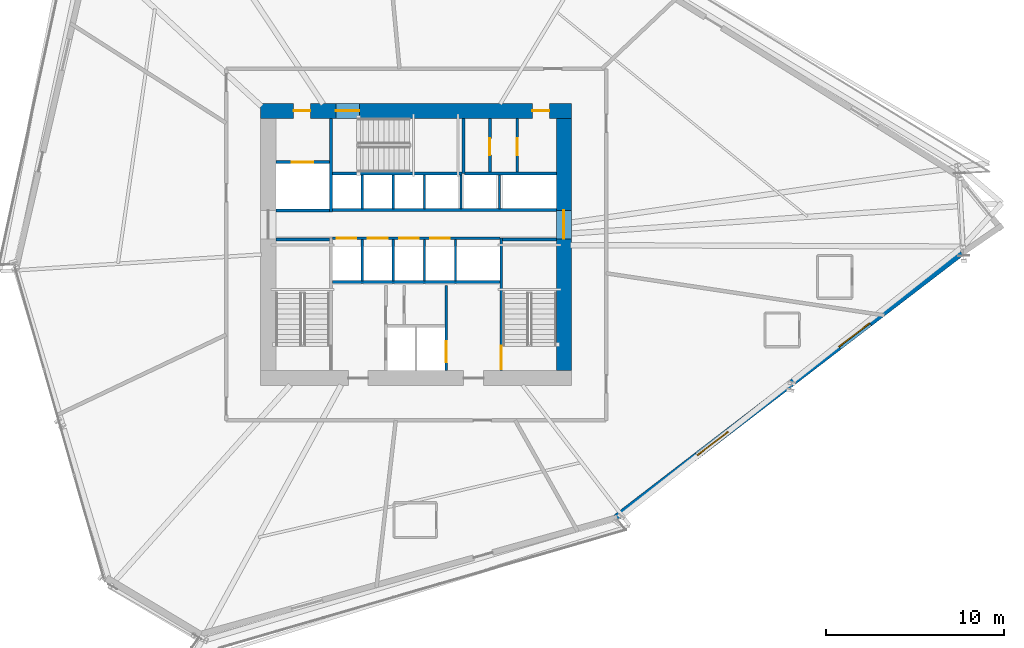
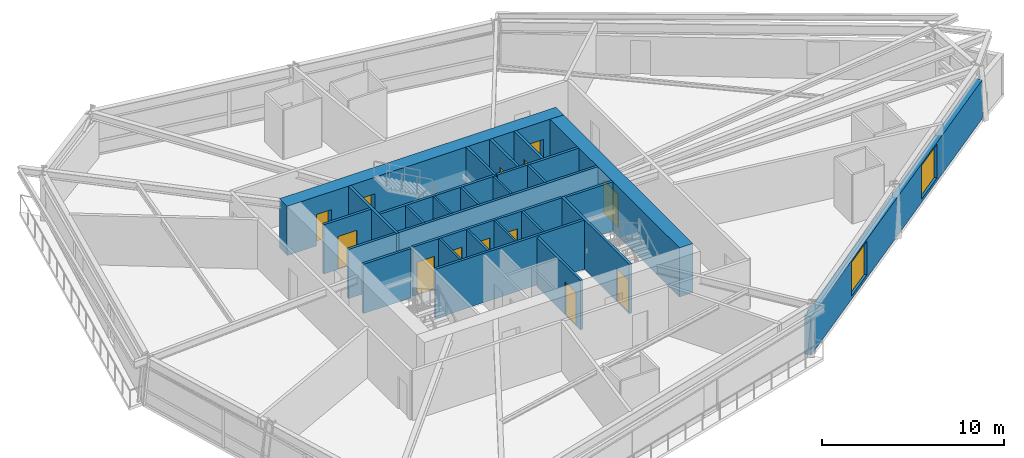
# One storey, part 16 of 21: 27 walls, 13 doors, 2 windows, 15 openings.
"""IFC4 building model written with IfcOpenShell, lengths in metres."""

from ifc_helpers import new_model, si_unit, direction, frame, frame_2d, origin, place, context, subcontext, project, spatial, rectangle, extrude, source, transform, mapped, material, layer, layer_set, type_object, type_shapes, element, fill, save


model = new_model("IFC4")

# Units and contexts
model_context = context("Model", 3, precision=1e-05, world=origin(), true_north=direction((0.0, 1.0)))
body_context = subcontext(model_context, "Body", "Model", "MODEL_VIEW")
ifc_project = project(units=[si_unit("LENGTHUNIT", "METRE"), si_unit("AREAUNIT", "SQUARE_METRE"), si_unit("VOLUMEUNIT", "CUBIC_METRE"), si_unit("PLANEANGLEUNIT", "RADIAN"), si_unit("MASSUNIT", "GRAM", prefix="KILO")], contexts=[model_context])

# Site, building, storey
site_placement = place(None, origin())
site = spatial("IfcSite", under=ifc_project, at=site_placement, CompositionType="ELEMENT")
building_placement = place(site_placement, origin())
building = spatial("IfcBuilding", under=site, at=building_placement, Name="Olszyna Solenne Hotel", CompositionType="ELEMENT")
storey_placement = place(building_placement, frame((0.0, 0.0, 47.050048828125)))
storey = spatial("IfcBuildingStorey", under=building, at=storey_placement, Name="L11", CompositionType="ELEMENT", Elevation=47.050048828125)

# Wall, openings, doors
ifc_material_1 = material(Name="Concrete C60/75", Category="concrete")
ifc_layer_1 = layer(ifc_material_1, 0.85009765625, Name="Concrete C60/75")
ifc_layer_set_1 = layer_set([ifc_layer_1], Name="Concrete C60/75")
wall_type_1 = type_object("IfcWallType", Name="WL-CR850", PredefinedType="SHEAR", material=ifc_layer_set_1)
wall_1_placement = place(storey_placement, frame((29.25, 34.125, 0.0), z_axis=(0.0, 0.0, 1.0), x_axis=(1.0, 0.0, 0.0)))
wall_1 = element("IfcWall", 1, at=wall_1_placement, inside=storey, type_object=wall_type_1, Name="Core shear wall WL-CR850 CRW-L11-N", PredefinedType="SHEAR", context=body_context, shape_type="SweptSolid", body=[
    extrude(rectangle(XDim=17.5, YDim=0.85009765625, at=frame_2d((8.75, 0.0))), origin(), (0.0, 0.0, 1.0), 3.300048828125),
])
opening_1_placement = place(wall_1_placement, frame((1.85009765625, 0.0, 0.0)))
opening_1 = element("IfcOpeningElement", 2, at=opening_1_placement, cuts=wall_1, Name="Opening SVD-L11-01", PredefinedType="OPENING", context=body_context, shape_type="SweptSolid", body=[
    extrude(rectangle(XDim=0.949951171875, YDim=2.10009765625, at=frame_2d((0.47509765625, 1.050048828125))), frame((0.0, 0.43505859375, 0.0), z_axis=(0.0, -1.0, 0.0), x_axis=(1.0, 0.0, 0.0)), (0.0, 0.0, 1.0), 0.8701171875),
])
opening_2_placement = place(wall_1_placement, frame((4.22998046875, 0.0, 0.0)))
opening_2 = element("IfcOpeningElement", 3, at=opening_2_placement, cuts=wall_1, Name="Opening STD-L11-03", PredefinedType="OPENING", context=body_context, shape_type="SweptSolid", body=[
    extrude(rectangle(XDim=1.320068359375, YDim=2.199951171875, at=frame_2d((0.66015625, 1.10009765625))), frame((0.0, 0.43505859375, 0.0), z_axis=(0.0, -1.0, 0.0), x_axis=(1.0, 0.0, 0.0)), (0.0, 0.0, 1.0), 0.8701171875),
])
opening_3_placement = place(wall_1_placement, frame((15.300048828125, 0.0, 0.0)))
opening_3 = element("IfcOpeningElement", 4, at=opening_3_placement, cuts=wall_1, Name="Opening SVD-L11-BN", PredefinedType="OPENING", context=body_context, shape_type="SweptSolid", body=[
    extrude(rectangle(XDim=0.949951171875, YDim=2.10009765625, at=frame_2d((0.47509765625, 1.050048828125))), frame((0.0, 0.43505859375, 0.0), z_axis=(0.0, -1.0, 0.0), x_axis=(1.0, 0.0, 0.0)), (0.0, 0.0, 1.0), 0.8701171875),
])
ifc_material_2 = material(Name="Steel S355J2", Category="steel")
door_type_1 = type_object("IfcDoorType", Name="DR-ST1", OperationType="NOTDEFINED", PredefinedType="DOOR", material=ifc_material_2)
shared_shape_1 = source(origin(), body_context, "Body", "SweptSolid", [
    extrude(rectangle(XDim=1.320068359375, YDim=2.199951171875, at=frame_2d((0.66015625, 1.10009765625))), frame((0.0, 0.02490234375, 0.0), z_axis=(0.0, -1.0, 0.0), x_axis=(1.0, 0.0, 0.0)), (0.0, 0.0, 1.0), 0.050048828125),
])
type_shapes(door_type_1, [shared_shape_1])
door_1_placement = place(opening_2_placement, origin())
door_1 = element("IfcDoor", 5, at=door_1_placement, inside=storey, type_object=door_type_1, Name="Pressurised exit stair ST3 fire door STD-L11-03", OperationType="SINGLE_SWING_RIGHT", OverallHeight=2.199951171875, OverallWidth=1.320068359375, PredefinedType="DOOR", context=body_context, shape_type="MappedRepresentation", body=[
    mapped(shared_shape_1, transform((0.0, 0.0, 0.0), x_axis=(1.0, 0.0, 0.0), y_axis=(0.0, 1.0, 0.0), z_axis=(0.0, 0.0, 1.0), scale=1.0)),
])
fill(opening_2, door_1)
door_type_2 = type_object("IfcDoorType", Name="DR-SV1", OperationType="NOTDEFINED", PredefinedType="DOOR", material=ifc_material_2)
shared_shape_2 = source(origin(), body_context, "Body", "SweptSolid", [
    extrude(rectangle(XDim=0.949951171875, YDim=2.10009765625, at=frame_2d((0.47509765625, 1.050048828125))), frame((0.0, 0.02490234375, 0.0), z_axis=(0.0, -1.0, 0.0), x_axis=(1.0, 0.0, 0.0)), (0.0, 0.0, 1.0), 0.050048828125),
])
type_shapes(door_type_2, [shared_shape_2])
door_2_placement = place(opening_1_placement, origin())
door_2 = element("IfcDoor", 6, at=door_2_placement, inside=storey, type_object=door_type_2, Name="Service lift lobby fire door SVD-L11-01", OperationType="SINGLE_SWING_LEFT", OverallHeight=2.10009765625, OverallWidth=0.949951171875, PredefinedType="DOOR", context=body_context, shape_type="MappedRepresentation", body=[
    mapped(shared_shape_2, transform((0.0, 0.0, 0.0), x_axis=(1.0, 0.0, 0.0), y_axis=(0.0, 1.0, 0.0), z_axis=(0.0, 0.0, 1.0), scale=1.0)),
])
fill(opening_1, door_2)
door_3_placement = place(opening_3_placement, origin())
door_3 = element("IfcDoor", 7, at=door_3_placement, inside=storey, type_object=door_type_2, Name="Housekeeping core fire door SVD-L11-BN", OperationType="SINGLE_SWING_LEFT", OverallHeight=2.10009765625, OverallWidth=0.949951171875, PredefinedType="DOOR", context=body_context, shape_type="MappedRepresentation", body=[
    mapped(shared_shape_2, transform((0.0, 0.0, 0.0), x_axis=(1.0, 0.0, 0.0), y_axis=(0.0, 1.0, 0.0), z_axis=(0.0, 0.0, 1.0), scale=1.0)),
])
fill(opening_3, door_3)

# Wall, opening, door
wall_2_placement = place(storey_placement, frame((46.324951171875, 33.699951171875, 0.0), z_axis=(0.0, 0.0, 1.0), x_axis=(0.0, -1.0, 0.0)))
wall_2 = element("IfcWall", 8, at=wall_2_placement, inside=storey, type_object=wall_type_1, Name="Core shear wall WL-CR850 CRW-L11-E", PredefinedType="SHEAR", context=body_context, shape_type="SweptSolid", body=[
    extrude(rectangle(XDim=14.199951171875, YDim=0.85009765625, at=frame_2d((7.10009765625, 0.0))), origin(), (0.0, 0.0, 1.0), 3.300048828125),
])
opening_4_placement = place(wall_2_placement, frame((5.179931640625, 0.0, 0.0)))
opening_4 = element("IfcOpeningElement", 9, at=opening_4_placement, cuts=wall_2, Name="Opening LHD-L11-E", PredefinedType="OPENING", context=body_context, shape_type="SweptSolid", body=[
    extrude(rectangle(XDim=1.60009765625, YDim=2.199951171875, at=frame_2d((0.800048828125, 1.10009765625))), frame((0.0, 0.43505859375, 0.0), z_axis=(0.0, -1.0, 0.0), x_axis=(1.0, 0.0, 0.0)), (0.0, 0.0, 1.0), 0.8701171875),
])
ifc_material_3 = material(Name="Timber hardwood", Category="wood")
door_type_3 = type_object("IfcDoorType", Name="DR-CR1", OperationType="DOUBLE_DOOR_SINGLE_SWING", PredefinedType="DOOR", material=ifc_material_3)
shared_shape_3 = source(origin(), body_context, "Body", "SweptSolid", [
    extrude(rectangle(XDim=1.60009765625, YDim=2.199951171875, at=frame_2d((0.800048828125, 1.10009765625))), frame((0.0, 0.02490234375, 0.0), z_axis=(0.0, -1.0, 0.0), x_axis=(1.0, 0.0, 0.0)), (0.0, 0.0, 1.0), 0.050048828125),
])
type_shapes(door_type_3, [shared_shape_3])
door_4_placement = place(opening_4_placement, origin())
door_4 = element("IfcDoor", 10, at=door_4_placement, inside=storey, type_object=door_type_3, Name="Passenger lift lobby East fire door LHD-L11-E", OperationType="DOUBLE_DOOR_SINGLE_SWING", OverallHeight=2.199951171875, OverallWidth=1.60009765625, PredefinedType="DOOR", context=body_context, shape_type="MappedRepresentation", body=[
    mapped(shared_shape_3, transform((0.0, 0.0, 0.0), x_axis=(1.0, 0.0, 0.0), y_axis=(0.0, 1.0, 0.0), z_axis=(0.0, 0.0, 1.0), scale=1.0)),
])
fill(opening_4, door_4)

# Wall, openings, windows
ifc_material_4 = material(Name="Terracotta cladding on precast concrete C45/55", Category="masonry")
ifc_layer_2 = layer(ifc_material_4, 0.3798828125, Name="Terracotta cladding on precast concrete C45/55")
ifc_layer_set_2 = layer_set([ifc_layer_2], Name="Terracotta cladding on precast concrete C45/55")
wall_type_2 = type_object("IfcWallType", Name="WL-EX380", PredefinedType="SOLIDWALL", material=ifc_layer_set_2)
wall_3_placement = place(storey_placement, frame((68.720458984375, 26.13818359375, 0.0), z_axis=(0.0, 0.0, 1.0), x_axis=(-0.793606361292, -0.608431543657, 0.0)))
wall_3 = element("IfcWall", 11, at=wall_3_placement, inside=storey, type_object=wall_type_2, Name="Exterior terracotta-precast frame wall WL-EX380 EW-L11-10", PredefinedType="SOLIDWALL", context=body_context, shape_type="SweptSolid", body=[
    extrude(rectangle(XDim=24.521484375, YDim=0.3798828125, at=frame_2d((12.2607421875, 0.0))), origin(), (0.0, 0.0, 1.0), 2.592041015625),
])
opening_5_placement = place(wall_3_placement, frame((6.51611328125, 0.0, 0.221923828125)))
opening_5 = element("IfcOpeningElement", 12, at=opening_5_placement, cuts=wall_3, Name="Opening WN-L11-050", PredefinedType="OPENING", context=body_context, shape_type="SweptSolid", body=[
    extrude(rectangle(XDim=2.199951171875, YDim=2.25, at=frame_2d((1.10009765625, 1.125))), frame((0.0, 0.199951171875, 0.0), z_axis=(0.0, -1.0, 0.0), x_axis=(1.0, 0.0, 0.0)), (0.0, 0.0, 1.0), 0.39990234375),
])
opening_6_placement = place(wall_3_placement, frame((16.554931640625, 0.0, 0.221923828125)))
opening_6 = element("IfcOpeningElement", 13, at=opening_6_placement, cuts=wall_3, Name="Opening WN-L11-051", PredefinedType="OPENING", context=body_context, shape_type="SweptSolid", body=[
    extrude(rectangle(XDim=2.199951171875, YDim=2.25, at=frame_2d((1.10009765625, 1.125))), frame((0.0, 0.199951171875, 0.0), z_axis=(0.0, -1.0, 0.0), x_axis=(1.0, 0.0, 0.0)), (0.0, 0.0, 1.0), 0.39990234375),
])
ifc_material_5 = material(Name="Low-E triple glazing", Category="glass")
window_type = type_object("IfcWindowType", Name="WN-HT2", PartitioningType="SINGLE_PANEL", PredefinedType="WINDOW", material=ifc_material_5)
shared_shape_4 = source(origin(), body_context, "Body", "SweptSolid", [
    extrude(rectangle(XDim=2.199951171875, YDim=2.25, at=frame_2d((1.10009765625, 1.125))), frame((0.0, 0.030029296875, 0.0), z_axis=(0.0, -1.0, 0.0), x_axis=(1.0, 0.0, 0.0)), (0.0, 0.0, 1.0), 0.06005859375),
])
type_shapes(window_type, [shared_shape_4])
window_1_placement = place(opening_5_placement, origin())
window_1 = element("IfcWindow", 14, at=window_1_placement, inside=storey, type_object=window_type, Name="Exterior facade window WN-HT2 WN-L11-050", OverallHeight=2.25, OverallWidth=2.199951171875, PartitioningType="SINGLE_PANEL", PredefinedType="WINDOW", context=body_context, shape_type="MappedRepresentation", body=[
    mapped(shared_shape_4, transform((0.0, 0.0, 0.0), x_axis=(1.0, 0.0, 0.0), y_axis=(0.0, 1.0, 0.0), z_axis=(0.0, 0.0, 1.0), scale=1.0)),
])
fill(opening_5, window_1)
window_2_placement = place(opening_6_placement, origin())
window_2 = element("IfcWindow", 15, at=window_2_placement, inside=storey, type_object=window_type, Name="Exterior facade window WN-HT2 WN-L11-051", OverallHeight=2.25, OverallWidth=2.199951171875, PartitioningType="SINGLE_PANEL", PredefinedType="WINDOW", context=body_context, shape_type="MappedRepresentation", body=[
    mapped(shared_shape_4, transform((0.0, 0.0, 0.0), x_axis=(1.0, 0.0, 0.0), y_axis=(0.0, 1.0, 0.0), z_axis=(0.0, 0.0, 1.0), scale=1.0)),
])
fill(opening_6, window_2)

# Walls
ifc_material_6 = material(Name="Acoustic gypsum partition", Category="gypsum")
ifc_layer_3 = layer(ifc_material_6, 0.125, Name="Acoustic gypsum partition")
ifc_layer_set_3 = layer_set([ifc_layer_3], Name="Acoustic gypsum partition")
wall_type_3 = type_object("IfcWallType", Name="WL-PT125", PredefinedType="PARTITIONING", material=ifc_layer_set_3)
for number, where, z_axis, x_axis, name in (
    (16, (34.965087890625, 24.56005859375, 0.0), (0.0, 0.0, 1.0), (0.0, 1.0, 0.0), "Core shaft compartment wall CW-L11-DIVS349"),
    (17, (36.715087890625, 24.56005859375, 0.0), (0.0, 0.0, 1.0), (0.0, 1.0, 0.0), "Core shaft compartment wall CW-L11-DIVS367"),
    (18, (38.465087890625, 24.56005859375, 0.0), (0.0, 0.0, 1.0), (0.0, 1.0, 0.0), "Core shaft compartment wall CW-L11-DIVS384"),
    (19, (40.215087890625, 24.56005859375, 0.0), (0.0, 0.0, 1.0), (0.0, 1.0, 0.0), "Core shaft compartment wall CW-L11-DIVS402"),
):
    element("IfcWall", number, at=place(storey_placement, frame(where, z_axis=z_axis, x_axis=x_axis)), inside=storey, type_object=wall_type_3, Name=name, PredefinedType="PARTITIONING", context=body_context, shape_type="SweptSolid", body=[
        extrude(rectangle(XDim=2.31005859375, YDim=0.125, at=frame_2d((1.155029296875, 0.0))), origin(), (0.0, 0.0, 1.0), 3.300048828125),
    ])
for number, where, z_axis, x_axis, name in (
    (20, (34.965087890625, 28.60009765625, 0.0), (0.0, 0.0, 1.0), (0.0, 1.0, 0.0), "Core shaft compartment wall CW-L11-DIVN349"),
    (21, (36.715087890625, 28.60009765625, 0.0), (0.0, 0.0, 1.0), (0.0, 1.0, 0.0), "Core shaft compartment wall CW-L11-DIVN367"),
    (22, (38.465087890625, 28.60009765625, 0.0), (0.0, 0.0, 1.0), (0.0, 1.0, 0.0), "Core shaft compartment wall CW-L11-DIVN384"),
    (23, (40.52490234375, 28.60009765625, 0.0), (0.0, 0.0, 1.0), (0.0, 1.0, 0.0), "Core shaft compartment wall CW-L11-DIVEX405"),
    (24, (42.699951171875, 28.60009765625, 0.0), (0.0, 0.0, 1.0), (0.0, 1.0, 0.0), "Core shaft compartment wall CW-L11-DIVEX427"),
):
    element("IfcWall", number, at=place(storey_placement, frame(where, z_axis=z_axis, x_axis=x_axis)), inside=storey, type_object=wall_type_3, Name=name, PredefinedType="PARTITIONING", context=body_context, shape_type="SweptSolid", body=[
        extrude(rectangle(XDim=1.919921875, YDim=0.125, at=frame_2d((0.9599609375, 0.0))), origin(), (0.0, 0.0, 1.0), 3.300048828125),
    ])
ifc_layer_4 = layer(ifc_material_6, 0.159912109375, Name="Acoustic gypsum partition")
ifc_layer_set_4 = layer_set([ifc_layer_4], Name="Acoustic gypsum partition")
wall_type_4 = type_object("IfcWallType", Name="WL-PT160", PredefinedType="PARTITIONING", material=ifc_layer_set_4)
wall_4_placement = place(storey_placement, frame((30.10009765625, 26.8798828125, 0.0), z_axis=(0.0, 0.0, 1.0), x_axis=(1.0, 0.0, 0.0)))
element("IfcWall", 25, at=wall_4_placement, inside=storey, type_object=wall_type_4, Name="Core shaft compartment wall CW-L11-ST1N", PredefinedType="PARTITIONING", context=body_context, shape_type="SweptSolid", body=[
    extrude(rectangle(XDim=3.02001953125, YDim=0.159912109375, at=frame_2d((1.510009765625, 0.0))), origin(), (0.0, 0.0, 1.0), 3.300048828125),
])

# Wall, opening, door
wall_5_placement = place(storey_placement, frame((42.800048828125, 26.9599609375, 0.0), z_axis=(0.0, 0.0, 1.0), x_axis=(0.0, -1.0, 0.0)))
wall_5 = element("IfcWall", 26, at=wall_5_placement, inside=storey, type_object=wall_type_4, Name="Core shaft compartment wall CW-L11-ST2W", PredefinedType="PARTITIONING", context=body_context, shape_type="SweptSolid", body=[
    extrude(rectangle(XDim=7.4599609375, YDim=0.159912109375, at=frame_2d((3.72998046875, 0.0))), origin(), (0.0, 0.0, 1.0), 3.300048828125),
])
opening_7_placement = place(wall_5_placement, frame((6.06005859375, 0.0, 0.0)))
opening_7 = element("IfcOpeningElement", 27, at=opening_7_placement, cuts=wall_5, Name="Opening STD-L11-02", PredefinedType="OPENING", context=body_context, shape_type="SweptSolid", body=[
    extrude(rectangle(XDim=1.320068359375, YDim=2.199951171875, at=frame_2d((0.66015625, 1.10009765625))), frame((0.0, 0.08984375, 0.0), z_axis=(0.0, -1.0, 0.0), x_axis=(1.0, 0.0, 0.0)), (0.0, 0.0, 1.0), 0.179931640625),
])
door_5_placement = place(opening_7_placement, origin())
door_5 = element("IfcDoor", 28, at=door_5_placement, inside=storey, type_object=door_type_1, Name="Pressurised exit stair ST2 fire door STD-L11-02", OperationType="SINGLE_SWING_RIGHT", OverallHeight=2.199951171875, OverallWidth=1.320068359375, PredefinedType="DOOR", context=body_context, shape_type="MappedRepresentation", body=[
    mapped(shared_shape_1, transform((0.0, 0.0, 0.0), x_axis=(1.0, 0.0, 0.0), y_axis=(0.0, 1.0, 0.0), z_axis=(0.0, 0.0, 1.0), scale=1.0)),
])
fill(opening_7, door_5)

# Walls
wall_6_placement = place(storey_placement, frame((42.8798828125, 26.8798828125, 0.0), z_axis=(0.0, 0.0, 1.0), x_axis=(1.0, 0.0, 0.0)))
element("IfcWall", 29, at=wall_6_placement, inside=storey, type_object=wall_type_4, Name="Core shaft compartment wall CW-L11-ST2N", PredefinedType="PARTITIONING", context=body_context, shape_type="SweptSolid", body=[
    extrude(rectangle(XDim=3.02001953125, YDim=0.159912109375, at=frame_2d((1.510009765625, 0.0))), origin(), (0.0, 0.0, 1.0), 3.300048828125),
])
wall_7_placement = place(storey_placement, frame((33.280029296875, 30.60009765625, 0.0), z_axis=(0.0, 0.0, 1.0), x_axis=(1.0, 0.0, 0.0)))
element("IfcWall", 30, at=wall_7_placement, inside=storey, type_object=wall_type_4, Name="Core shaft compartment wall CW-L11-ST3S", PredefinedType="PARTITIONING", context=body_context, shape_type="SweptSolid", body=[
    extrude(rectangle(XDim=7.300048828125, YDim=0.159912109375, at=frame_2d((3.64990234375, 0.0))), origin(), (0.0, 0.0, 1.0), 3.300048828125),
])
wall_8_placement = place(storey_placement, frame((40.659912109375, 30.60009765625, 0.0), z_axis=(0.0, 0.0, 1.0), x_axis=(0.0, 1.0, 0.0)))
element("IfcWall", 31, at=wall_8_placement, inside=storey, type_object=wall_type_4, Name="Core shaft compartment wall CW-L11-ST3E", PredefinedType="PARTITIONING", context=body_context, shape_type="SweptSolid", body=[
    extrude(rectangle(XDim=3.099853515625, YDim=0.159912109375, at=frame_2d((1.5498046875, 0.0))), origin(), (0.0, 0.0, 1.0), 3.300048828125),
])

# Wall, opening, door
wall_9_placement = place(storey_placement, frame((39.699951171875, 24.280029296875, 0.0), z_axis=(0.0, 0.0, 1.0), x_axis=(0.0, -1.0, 0.0)))
wall_9 = element("IfcWall", 32, at=wall_9_placement, inside=storey, type_object=wall_type_4, Name="Core shaft compartment wall CW-L11-FF2E", PredefinedType="PARTITIONING", context=body_context, shape_type="SweptSolid", body=[
    extrude(rectangle(XDim=4.780029296875, YDim=0.159912109375, at=frame_2d((2.39013671875, 0.0))), origin(), (0.0, 0.0, 1.0), 3.300048828125),
])
opening_8_placement = place(wall_9_placement, frame((3.1201171875, 0.0, 0.0)))
opening_8 = element("IfcOpeningElement", 33, at=opening_8_placement, cuts=wall_9, Name="Opening LD-L11-FF2", PredefinedType="OPENING", context=body_context, shape_type="SweptSolid", body=[
    extrude(rectangle(XDim=1.199951171875, YDim=2.199951171875, at=frame_2d((0.60009765625, 1.10009765625))), frame((0.0, 0.08984375, 0.0), z_axis=(0.0, -1.0, 0.0), x_axis=(1.0, 0.0, 0.0)), (0.0, 0.0, 1.0), 0.179931640625),
])
door_type_4 = type_object("IfcDoorType", Name="LD-FF1", OperationType="DOUBLE_DOOR_SLIDING", PredefinedType="DOOR", material=ifc_material_2)
shared_shape_5 = source(origin(), body_context, "Body", "SweptSolid", [
    extrude(rectangle(XDim=1.199951171875, YDim=2.199951171875, at=frame_2d((0.60009765625, 1.10009765625))), frame((0.0, 0.02490234375, 0.0), z_axis=(0.0, -1.0, 0.0), x_axis=(1.0, 0.0, 0.0)), (0.0, 0.0, 1.0), 0.050048828125),
])
type_shapes(door_type_4, [shared_shape_5])
door_6_placement = place(opening_8_placement, origin())
door_6 = element("IfcDoor", 34, at=door_6_placement, inside=storey, type_object=door_type_4, Name="Firefighters lift FF2 sliding landing door LD-L11-FF2", OperationType="DOUBLE_DOOR_SLIDING", OverallHeight=2.199951171875, OverallWidth=1.199951171875, PredefinedType="DOOR", context=body_context, shape_type="MappedRepresentation", body=[
    mapped(shared_shape_5, transform((0.0, 0.0, 0.0), x_axis=(1.0, 0.0, 0.0), y_axis=(0.0, 1.0, 0.0), z_axis=(0.0, 0.0, 1.0), scale=1.0)),
])
fill(opening_8, door_6)

# Walls
wall_10_placement = place(storey_placement, frame((33.280029296875, 24.489990234375, 0.0), z_axis=(0.0, 0.0, 1.0), x_axis=(1.0, 0.0, 0.0)))
element("IfcWall", 35, at=wall_10_placement, inside=storey, type_object=wall_type_4, Name="Core shaft compartment wall CW-L11-FFBN", PredefinedType="PARTITIONING", context=body_context, shape_type="SweptSolid", body=[
    extrude(rectangle(XDim=9.43994140625, YDim=0.159912109375, at=frame_2d((4.719970703125, 0.0))), origin(), (0.0, 0.0, 1.0), 3.300048828125),
])
wall_11_placement = place(storey_placement, frame((30.10009765625, 28.52001953125, 0.0), z_axis=(0.0, 0.0, 1.0), x_axis=(1.0, 0.0, 0.0)))
element("IfcWall", 36, at=wall_11_placement, inside=storey, type_object=wall_type_4, Name="Core shaft compartment wall CW-L11-SV1S", PredefinedType="PARTITIONING", context=body_context, shape_type="SweptSolid", body=[
    extrude(rectangle(XDim=3.02001953125, YDim=0.159912109375, at=frame_2d((1.510009765625, 0.0))), origin(), (0.0, 0.0, 1.0), 3.300048828125),
])
wall_12_placement = place(storey_placement, frame((33.199951171875, 28.43994140625, 0.0), z_axis=(0.0, 0.0, 1.0), x_axis=(0.0, 1.0, 0.0)))
element("IfcWall", 37, at=wall_12_placement, inside=storey, type_object=wall_type_4, Name="Core shaft compartment wall CW-L11-SV1E", PredefinedType="PARTITIONING", context=body_context, shape_type="SweptSolid", body=[
    extrude(rectangle(XDim=5.260009765625, YDim=0.159912109375, at=frame_2d((2.6298828125, 0.0))), origin(), (0.0, 0.0, 1.0), 3.300048828125),
])

# Wall, opening, door
wall_13_placement = place(storey_placement, frame((30.10009765625, 31.239990234375, 0.0), z_axis=(0.0, 0.0, 1.0), x_axis=(1.0, 0.0, 0.0)))
wall_13 = element("IfcWall", 38, at=wall_13_placement, inside=storey, type_object=wall_type_4, Name="Core shaft compartment wall CW-L11-SV1N", PredefinedType="PARTITIONING", context=body_context, shape_type="SweptSolid", body=[
    extrude(rectangle(XDim=3.02001953125, YDim=0.159912109375, at=frame_2d((1.510009765625, 0.0))), origin(), (0.0, 0.0, 1.0), 3.300048828125),
])
opening_9_placement = place(wall_13_placement, frame((0.909912109375, 0.0, 0.0)))
opening_9 = element("IfcOpeningElement", 39, at=opening_9_placement, cuts=wall_13, Name="Opening LD-L11-SV1", PredefinedType="OPENING", context=body_context, shape_type="SweptSolid", body=[
    extrude(rectangle(XDim=1.199951171875, YDim=2.199951171875, at=frame_2d((0.60009765625, 1.10009765625))), frame((0.0, 0.08984375, 0.0), z_axis=(0.0, -1.0, 0.0), x_axis=(1.0, 0.0, 0.0)), (0.0, 0.0, 1.0), 0.179931640625),
])
door_7_placement = place(opening_9_placement, origin())
door_7 = element("IfcDoor", 40, at=door_7_placement, inside=storey, type_object=door_type_4, Name="Service lift SV1 sliding landing door LD-L11-SV1", OperationType="DOUBLE_DOOR_SLIDING", OverallHeight=2.199951171875, OverallWidth=1.199951171875, PredefinedType="DOOR", context=body_context, shape_type="MappedRepresentation", body=[
    mapped(shared_shape_5, transform((0.0, 0.0, 0.0), x_axis=(1.0, 0.0, 0.0), y_axis=(0.0, 1.0, 0.0), z_axis=(0.0, 0.0, 1.0), scale=1.0)),
])
fill(opening_9, door_7)

# Wall, openings, doors
wall_14_placement = place(storey_placement, frame((33.280029296875, 26.949951171875, 0.0), z_axis=(0.0, 0.0, 1.0), x_axis=(1.0, 0.0, 0.0)))
wall_14 = element("IfcWall", 41, at=wall_14_placement, inside=storey, type_object=wall_type_4, Name="Core shaft compartment wall CW-L11-LRS", PredefinedType="PARTITIONING", context=body_context, shape_type="SweptSolid", body=[
    extrude(rectangle(XDim=9.43994140625, YDim=0.159912109375, at=frame_2d((4.719970703125, 0.0))), origin(), (0.0, 0.0, 1.0), 3.300048828125),
])
opening_10_placement = place(wall_14_placement, frame((0.260009765625, 0.0, 0.0)))
opening_10 = element("IfcOpeningElement", 42, at=opening_10_placement, cuts=wall_14, Name="Opening LD-L11-PL1", PredefinedType="OPENING", context=body_context, shape_type="SweptSolid", body=[
    extrude(rectangle(XDim=1.10009765625, YDim=2.199951171875, at=frame_2d((0.550048828125, 1.10009765625))), frame((0.0, 0.08984375, 0.0), z_axis=(0.0, -1.0, 0.0), x_axis=(1.0, 0.0, 0.0)), (0.0, 0.0, 1.0), 0.179931640625),
])
opening_11_placement = place(wall_14_placement, frame((2.010009765625, 0.0, 0.0)))
opening_11 = element("IfcOpeningElement", 43, at=opening_11_placement, cuts=wall_14, Name="Opening LD-L11-PL2", PredefinedType="OPENING", context=body_context, shape_type="SweptSolid", body=[
    extrude(rectangle(XDim=1.10009765625, YDim=2.199951171875, at=frame_2d((0.550048828125, 1.10009765625))), frame((0.0, 0.08984375, 0.0), z_axis=(0.0, -1.0, 0.0), x_axis=(1.0, 0.0, 0.0)), (0.0, 0.0, 1.0), 0.179931640625),
])
opening_12_placement = place(wall_14_placement, frame((3.760009765625, 0.0, 0.0)))
opening_12 = element("IfcOpeningElement", 44, at=opening_12_placement, cuts=wall_14, Name="Opening LD-L11-PL3", PredefinedType="OPENING", context=body_context, shape_type="SweptSolid", body=[
    extrude(rectangle(XDim=1.10009765625, YDim=2.199951171875, at=frame_2d((0.550048828125, 1.10009765625))), frame((0.0, 0.08984375, 0.0), z_axis=(0.0, -1.0, 0.0), x_axis=(1.0, 0.0, 0.0)), (0.0, 0.0, 1.0), 0.179931640625),
])
opening_13_placement = place(wall_14_placement, frame((5.510009765625, 0.0, 0.0)))
opening_13 = element("IfcOpeningElement", 45, at=opening_13_placement, cuts=wall_14, Name="Opening LD-L11-PL4", PredefinedType="OPENING", context=body_context, shape_type="SweptSolid", body=[
    extrude(rectangle(XDim=1.10009765625, YDim=2.199951171875, at=frame_2d((0.550048828125, 1.10009765625))), frame((0.0, 0.08984375, 0.0), z_axis=(0.0, -1.0, 0.0), x_axis=(1.0, 0.0, 0.0)), (0.0, 0.0, 1.0), 0.179931640625),
])
door_type_5 = type_object("IfcDoorType", Name="LD-P1", OperationType="DOUBLE_DOOR_SLIDING", PredefinedType="DOOR", material=ifc_material_2)
shared_shape_6 = source(origin(), body_context, "Body", "SweptSolid", [
    extrude(rectangle(XDim=1.10009765625, YDim=2.199951171875, at=frame_2d((0.550048828125, 1.10009765625))), frame((0.0, 0.02490234375, 0.0), z_axis=(0.0, -1.0, 0.0), x_axis=(1.0, 0.0, 0.0)), (0.0, 0.0, 1.0), 0.050048828125),
])
type_shapes(door_type_5, [shared_shape_6])
door_8_placement = place(opening_10_placement, origin())
door_8 = element("IfcDoor", 46, at=door_8_placement, inside=storey, type_object=door_type_5, Name="Passenger lift PL1 sliding landing door LD-L11-PL1", OperationType="DOUBLE_DOOR_SLIDING", OverallHeight=2.199951171875, OverallWidth=1.10009765625, PredefinedType="DOOR", context=body_context, shape_type="MappedRepresentation", body=[
    mapped(shared_shape_6, transform((0.0, 0.0, 0.0), x_axis=(1.0, 0.0, 0.0), y_axis=(0.0, 1.0, 0.0), z_axis=(0.0, 0.0, 1.0), scale=1.0)),
])
fill(opening_10, door_8)
door_9_placement = place(opening_11_placement, origin())
door_9 = element("IfcDoor", 47, at=door_9_placement, inside=storey, type_object=door_type_5, Name="Passenger lift PL2 sliding landing door LD-L11-PL2", OperationType="DOUBLE_DOOR_SLIDING", OverallHeight=2.199951171875, OverallWidth=1.10009765625, PredefinedType="DOOR", context=body_context, shape_type="MappedRepresentation", body=[
    mapped(shared_shape_6, transform((0.0, 0.0, 0.0), x_axis=(1.0, 0.0, 0.0), y_axis=(0.0, 1.0, 0.0), z_axis=(0.0, 0.0, 1.0), scale=1.0)),
])
fill(opening_11, door_9)
door_10_placement = place(opening_12_placement, origin())
door_10 = element("IfcDoor", 48, at=door_10_placement, inside=storey, type_object=door_type_5, Name="Passenger lift PL3 sliding landing door LD-L11-PL3", OperationType="DOUBLE_DOOR_SLIDING", OverallHeight=2.199951171875, OverallWidth=1.10009765625, PredefinedType="DOOR", context=body_context, shape_type="MappedRepresentation", body=[
    mapped(shared_shape_6, transform((0.0, 0.0, 0.0), x_axis=(1.0, 0.0, 0.0), y_axis=(0.0, 1.0, 0.0), z_axis=(0.0, 0.0, 1.0), scale=1.0)),
])
fill(opening_12, door_10)
door_11_placement = place(opening_13_placement, origin())
door_11 = element("IfcDoor", 49, at=door_11_placement, inside=storey, type_object=door_type_5, Name="Passenger lift PL4 sliding landing door LD-L11-PL4", OperationType="DOUBLE_DOOR_SLIDING", OverallHeight=2.199951171875, OverallWidth=1.10009765625, PredefinedType="DOOR", context=body_context, shape_type="MappedRepresentation", body=[
    mapped(shared_shape_6, transform((0.0, 0.0, 0.0), x_axis=(1.0, 0.0, 0.0), y_axis=(0.0, 1.0, 0.0), z_axis=(0.0, 0.0, 1.0), scale=1.0)),
])
fill(opening_13, door_11)

# Walls
wall_15_placement = place(storey_placement, frame((33.280029296875, 28.5400390625, 0.0), z_axis=(0.0, 0.0, 1.0), x_axis=(1.0, 0.0, 0.0)))
element("IfcWall", 50, at=wall_15_placement, inside=storey, type_object=wall_type_4, Name="Core shaft compartment wall CW-L11-LRN", PredefinedType="PARTITIONING", context=body_context, shape_type="SweptSolid", body=[
    extrude(rectangle(XDim=12.619873046875, YDim=0.159912109375, at=frame_2d((6.31005859375, 0.0))), origin(), (0.0, 0.0, 1.0), 3.300048828125),
])
wall_16_placement = place(storey_placement, frame((40.719970703125, 30.60009765625, 0.0), z_axis=(0.0, 0.0, 1.0), x_axis=(1.0, 0.0, 0.0)))
element("IfcWall", 51, at=wall_16_placement, inside=storey, type_object=wall_type_4, Name="Core shaft compartment wall CW-L11-LRNTOP", PredefinedType="PARTITIONING", context=body_context, shape_type="SweptSolid", body=[
    extrude(rectangle(XDim=5.179931640625, YDim=0.159912109375, at=frame_2d((2.58984375, 0.0))), origin(), (0.0, 0.0, 1.0), 3.300048828125),
])

# Wall, opening, door
wall_17_placement = place(storey_placement, frame((42.155029296875, 30.679931640625, 0.0), z_axis=(0.0, 0.0, 1.0), x_axis=(0.0, 1.0, 0.0)))
wall_17 = element("IfcWall", 52, at=wall_17_placement, inside=storey, type_object=wall_type_4, Name="Core shaft compartment wall CW-L11-BOH3A", PredefinedType="PARTITIONING", context=body_context, shape_type="SweptSolid", body=[
    extrude(rectangle(XDim=3.02001953125, YDim=0.159912109375, at=frame_2d((1.510009765625, 0.0))), origin(), (0.0, 0.0, 1.0), 3.300048828125),
])
opening_14_placement = place(wall_17_placement, frame((0.949951171875, 0.0, 0.0)))
opening_14 = element("IfcOpeningElement", 53, at=opening_14_placement, cuts=wall_17, Name="Opening SVD-L11-B31", PredefinedType="OPENING", context=body_context, shape_type="SweptSolid", body=[
    extrude(rectangle(XDim=0.949951171875, YDim=2.10009765625, at=frame_2d((0.47509765625, 1.050048828125))), frame((0.0, 0.08984375, 0.0), z_axis=(0.0, -1.0, 0.0), x_axis=(1.0, 0.0, 0.0)), (0.0, 0.0, 1.0), 0.179931640625),
])
door_12_placement = place(opening_14_placement, origin())
door_12 = element("IfcDoor", 54, at=door_12_placement, inside=storey, type_object=door_type_2, Name="BOH inter-room fire door SVD-L11-B31", OperationType="SINGLE_SWING_LEFT", OverallHeight=2.10009765625, OverallWidth=0.949951171875, PredefinedType="DOOR", context=body_context, shape_type="MappedRepresentation", body=[
    mapped(shared_shape_2, transform((0.0, 0.0, 0.0), x_axis=(1.0, 0.0, 0.0), y_axis=(0.0, 1.0, 0.0), z_axis=(0.0, 0.0, 1.0), scale=1.0)),
])
fill(opening_14, door_12)

wall_18_placement = place(storey_placement, frame((43.695068359375, 30.679931640625, 0.0), z_axis=(0.0, 0.0, 1.0), x_axis=(0.0, 1.0, 0.0)))
wall_18 = element("IfcWall", 55, at=wall_18_placement, inside=storey, type_object=wall_type_4, Name="Core shaft compartment wall CW-L11-BOH3B", PredefinedType="PARTITIONING", context=body_context, shape_type="SweptSolid", body=[
    extrude(rectangle(XDim=3.02001953125, YDim=0.159912109375, at=frame_2d((1.510009765625, 0.0))), origin(), (0.0, 0.0, 1.0), 3.300048828125),
])
opening_15_placement = place(wall_18_placement, frame((0.949951171875, 0.0, 0.0)))
opening_15 = element("IfcOpeningElement", 56, at=opening_15_placement, cuts=wall_18, Name="Opening SVD-L11-B32", PredefinedType="OPENING", context=body_context, shape_type="SweptSolid", body=[
    extrude(rectangle(XDim=0.949951171875, YDim=2.10009765625, at=frame_2d((0.47509765625, 1.050048828125))), frame((0.0, 0.08984375, 0.0), z_axis=(0.0, -1.0, 0.0), x_axis=(1.0, 0.0, 0.0)), (0.0, 0.0, 1.0), 0.179931640625),
])
door_13_placement = place(opening_15_placement, origin())
door_13 = element("IfcDoor", 57, at=door_13_placement, inside=storey, type_object=door_type_2, Name="BOH inter-room fire door SVD-L11-B32", OperationType="SINGLE_SWING_LEFT", OverallHeight=2.10009765625, OverallWidth=0.949951171875, PredefinedType="DOOR", context=body_context, shape_type="MappedRepresentation", body=[
    mapped(shared_shape_2, transform((0.0, 0.0, 0.0), x_axis=(1.0, 0.0, 0.0), y_axis=(0.0, 1.0, 0.0), z_axis=(0.0, 0.0, 1.0), scale=1.0)),
])
fill(opening_15, door_13)

save(model, "model.ifc")
